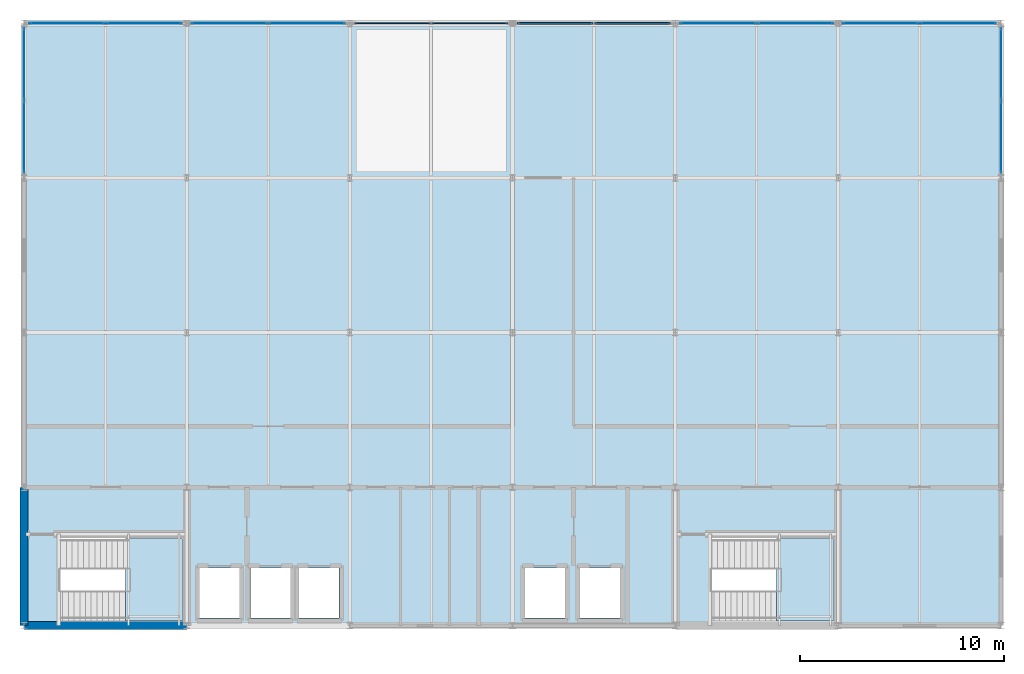
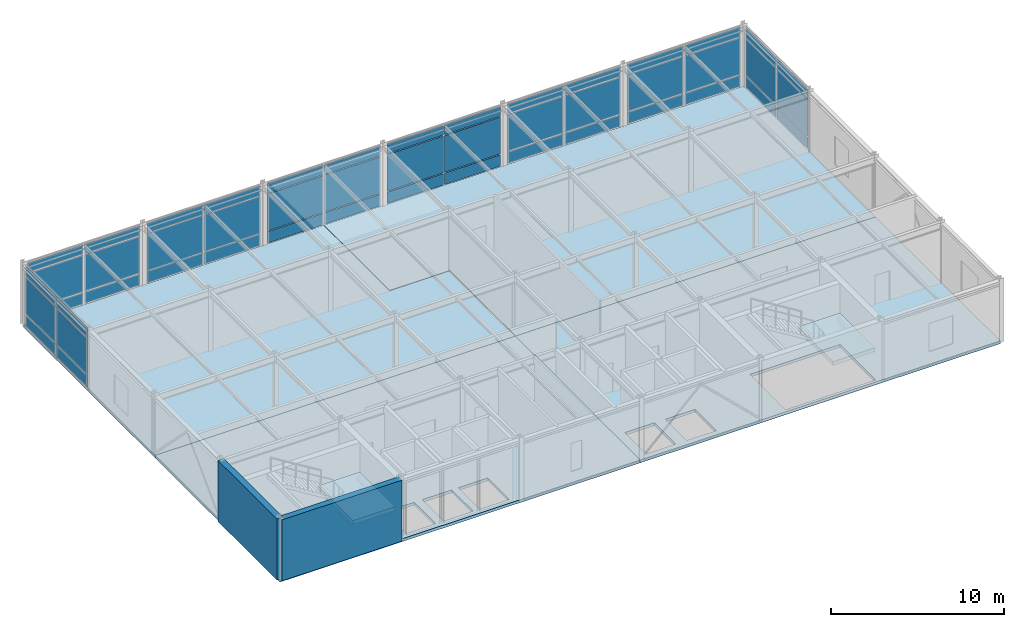
# One storey, part 8 of 12: 48 plates, 6 slabs, 2 walls, 10 elements without a shape of their own.
"""IFC4 building model written with IfcOpenShell, lengths in metres."""

import ifcopenshell
import ifcopenshell.guid

model = None  # the IFC model being written
_history = None  # IfcOwnerHistory: only IFC2X3 demands one
_inside = {}  # id of a spatial element -> (the spatial element, [elements in it])
_under = {}  # id of a project, library or spatial element -> (it, [spatial elements below it])
_declared = {}  # id of a project -> (the project, [libraries it declares])
_typed = {}  # id of a type object -> (the type object, [elements of that type])
_made_of = {}  # id of a material, layer set ... -> (it, [elements and type objects made of it])


def new_model(schema):
    """Start an empty IFC model of exactly this schema.

    Asked for "IFC4X3", IfcOpenShell would pick the latest addendum, in which some entities
    have other attributes; the version numbers below select the first issue.
    IFC2X3 requires an IfcOwnerHistory on every rooted entity: one is made here for all.
    """
    global model, _history
    if schema == "IFC4X3":
        model = ifcopenshell.file(schema_version=(4, 3, 0, 0))
    else:
        model = ifcopenshell.file(schema=schema)
    _inside.clear()
    _under.clear()
    _declared.clear()
    _typed.clear()
    _made_of.clear()
    _history = None
    if model.schema == "IFC2X3":
        org = make("IfcOrganization", Name="unknown")
        user = make(
            "IfcPersonAndOrganization",
            ThePerson=make("IfcPerson", FamilyName="unknown"),
            TheOrganization=org,
        )
        app = make(
            "IfcApplication",
            ApplicationDeveloper=org,
            Version="unknown",
            ApplicationFullName="unknown",
            ApplicationIdentifier="unknown",
        )
        _history = make(
            "IfcOwnerHistory",
            OwningUser=user,
            OwningApplication=app,
            ChangeAction="ADDED",
            CreationDate=0,
        )
    return model


def make(cls, **values):
    """One entity of the class cls with the attributes given. An attribute that is None is left unset."""
    return model.create_entity(
        cls, **{name: value for name, value in values.items() if value is not None}
    )


def rooted(cls, **values):
    """An entity with a GlobalId (a new one), such as an element, a storey or a relation."""
    return make(cls, GlobalId=ifcopenshell.guid.new(), OwnerHistory=_history, **values)


def si_unit(unit_type, name, prefix=None):
    """IfcSIUnit, for example si_unit("LENGTHUNIT", "METRE", prefix="MILLI")."""
    return make("IfcSIUnit", UnitType=unit_type, Prefix=prefix, Name=name)


def assignment(units):
    """IfcUnitAssignment: the units of a project."""
    return None if units is None else make("IfcUnitAssignment", Units=units)


def point(xyz):
    """IfcCartesianPoint."""
    return None if xyz is None else make("IfcCartesianPoint", Coordinates=xyz)


def direction(xyz):
    """IfcDirection."""
    return None if xyz is None else make("IfcDirection", DirectionRatios=xyz)


def frame(location, z_axis=None, x_axis=None):
    """IfcAxis2Placement3D, a coordinate frame: its origin and axes. An axis left out is left unset."""
    return make(
        "IfcAxis2Placement3D",
        Location=point(location),
        Axis=direction(z_axis),
        RefDirection=direction(x_axis),
    )


def frame_2d(location, x_axis=None):
    """IfcAxis2Placement2D, a coordinate frame in the plane: its origin and x axis."""
    return make(
        "IfcAxis2Placement2D", Location=point(location), RefDirection=direction(x_axis)
    )


def origin():
    """The frame at (0, 0, 0) with its axes left unset."""
    return frame((0.0, 0.0, 0.0))


def origin_2d():
    """The frame at (0, 0) in the plane with its x axis left unset."""
    return frame_2d((0.0, 0.0))


def place(relative_to, where):
    """IfcLocalPlacement: puts the frame where relative to a parent placement (None: the world)."""
    return make(
        "IfcLocalPlacement", PlacementRelTo=relative_to, RelativePlacement=where
    )


def context(
    kind, dimensions, precision=None, world=None, true_north=None, identifier=None
):
    """IfcGeometricRepresentationContext, for example the 3D "Model" context."""
    return make(
        "IfcGeometricRepresentationContext",
        ContextIdentifier=identifier,
        ContextType=kind,
        CoordinateSpaceDimension=dimensions,
        Precision=precision,
        WorldCoordinateSystem=world,
        TrueNorth=true_north,
    )


def subcontext(parent, identifier, kind, view, scale=None):
    """IfcGeometricRepresentationSubContext, for example "Body" below "Model"."""
    return make(
        "IfcGeometricRepresentationSubContext",
        ContextIdentifier=identifier,
        ContextType=kind,
        ParentContext=parent,
        TargetScale=scale,
        TargetView=view,
    )


def project(units=None, contexts=None):
    """IfcProject with its units and contexts."""
    return rooted(
        "IfcProject",
        Name="project",
        RepresentationContexts=contexts,
        UnitsInContext=assignment(units),
    )


def spatial(cls, under=None, at=None, **own):
    """A site, building, storey or space (cls), placed at a placement, below another one or the project."""
    s = rooted(cls, ObjectPlacement=at, **own)
    if under is not None:
        _under.setdefault(under.id(), (under, []))[1].append(s)
    return s


def polyline(points):
    """IfcPolyline through the points."""
    return make("IfcPolyline", Points=[point(p) for p in points])


def profile(cls, at=None, kind="AREA", **sizes):
    """A parametric profile (cls). Its sizes go by their IFC names, for example OverallWidth=200.0."""
    return make(cls, ProfileType=kind, Position=at, **sizes)


def rectangle(**sizes):
    """IfcRectangleProfileDef."""
    return profile("IfcRectangleProfileDef", **sizes)


def outline(outer, holes=None, kind="AREA"):
    """IfcArbitraryClosedProfileDef: a profile drawn as a closed curve; with holes, ...WithVoids."""
    if holes is None:
        return make("IfcArbitraryClosedProfileDef", ProfileType=kind, OuterCurve=outer)
    return make(
        "IfcArbitraryProfileDefWithVoids",
        ProfileType=kind,
        OuterCurve=outer,
        InnerCurves=holes,
    )


def extrude(swept, where, along, depth):
    """IfcExtrudedAreaSolid: the profile swept, set in the frame where, extruded along a direction by depth."""
    return make(
        "IfcExtrudedAreaSolid",
        SweptArea=swept,
        Position=where,
        ExtrudedDirection=direction(along),
        Depth=depth,
    )


def shape(context_of_items, identifier, shape_type, items):
    """IfcShapeRepresentation: the items that make up one representation, for example the "Body"."""
    return make(
        "IfcShapeRepresentation",
        ContextOfItems=context_of_items,
        RepresentationIdentifier=identifier,
        RepresentationType=shape_type,
        Items=items,
    )


def material(Name=None, Category=None):
    """IfcMaterial."""
    return make("IfcMaterial", Name=Name, Category=Category)


def layer(
    of_material, thickness, ventilated=None, Name=None, Category=None, Priority=None
):
    """IfcMaterialLayer: one layer of a wall or slab, of a material (None: an air gap)."""
    return make(
        "IfcMaterialLayer",
        Material=of_material,
        LayerThickness=thickness,
        IsVentilated=ventilated,
        Name=Name,
        Category=Category,
        Priority=Priority,
    )


def layer_set(layers, Name=None):
    """IfcMaterialLayerSet."""
    return make("IfcMaterialLayerSet", MaterialLayers=layers, LayerSetName=Name)


def made_of(thing, what):
    """Note that an element or type object is made of a material, layer set ...; save() writes the relation."""
    if what is not None:
        _made_of.setdefault(what.id(), (what, []))[1].append(thing)
    return thing


def type_object(cls, material=None, **own):
    """A type object (cls), such as IfcWallType, which elements share."""
    return made_of(rooted(cls, **own), material)


def element(
    cls,
    number,
    at=None,
    inside=None,
    cuts=None,
    type_object=None,
    material=None,
    context=None,
    identifier="Body",
    shape_type=None,
    held_by="IfcProductDefinitionShape",
    body=None,
    shapes=None,
    **own,
):
    """One element of the class cls, such as IfcWall. Its Tag is "e" and its number.

    at: its placement. inside: the storey or other place that contains it. cuts: it is an
    opening in that element (IfcRelVoidsElement). A single representation is given by context,
    identifier, shape_type and body (its items); several are given by shapes. held_by: the class
    of the entity that holds the representations. save() writes the other relations.
    """
    e = rooted(cls, Tag="e%d" % number, ObjectPlacement=at, **own)
    if body is not None:
        shapes = [shape(context, identifier, shape_type, body)]
    if shapes is not None:
        e.Representation = make(held_by, Representations=shapes)
    if inside is not None:
        _inside.setdefault(inside.id(), (inside, []))[1].append(e)
    if cuts is not None:
        rooted(
            "IfcRelVoidsElement", RelatingBuildingElement=cuts, RelatedOpeningElement=e
        )
    if type_object is not None:
        _typed.setdefault(type_object.id(), (type_object, []))[1].append(e)
    return made_of(e, material)


def aggregate(whole, parts):
    """IfcRelAggregates: a whole, such as a stair, and the parts it consists of."""
    return rooted("IfcRelAggregates", RelatingObject=whole, RelatedObjects=parts)


def save(model, path):
    """Write the relations noted so far, then the file.

    IfcRelAggregates (storeys below a building ...), IfcRelContainedInSpatialStructure (elements
    in a storey), IfcRelDefinesByType, IfcRelAssociatesMaterial and IfcRelDeclares: one each for
    every whole, place, type object, material and project.
    """
    for whole, parts in _under.values():
        aggregate(whole, parts)
    for where, things in _inside.values():
        rooted(
            "IfcRelContainedInSpatialStructure",
            RelatedElements=things,
            RelatingStructure=where,
        )
    for kind, things in _typed.values():
        rooted("IfcRelDefinesByType", RelatedObjects=things, RelatingType=kind)
    for what, things in _made_of.values():
        rooted("IfcRelAssociatesMaterial", RelatedObjects=things, RelatingMaterial=what)
    for by, libraries in _declared.values():
        rooted("IfcRelDeclares", RelatingContext=by, RelatedDefinitions=libraries)
    model.write(path)


model = new_model("IFC4")

# Units and contexts
model_context = context("Model", 3, precision=1e-05, world=origin(), true_north=direction((0.0, 1.0)))
body_context = subcontext(model_context, "Body", "Model", "MODEL_VIEW")
ifc_project = project(units=[si_unit("LENGTHUNIT", "METRE"), si_unit("AREAUNIT", "SQUARE_METRE"), si_unit("VOLUMEUNIT", "CUBIC_METRE"), si_unit("PLANEANGLEUNIT", "RADIAN"), si_unit("MASSUNIT", "GRAM", prefix="KILO")], contexts=[model_context])

# Site, building, storey
site_placement = place(None, origin())
site = spatial("IfcSite", under=ifc_project, at=site_placement, CompositionType="ELEMENT")
building_placement = place(site_placement, origin())
building = spatial("IfcBuilding", under=site, at=building_placement, Name="Shalkamar Park Central Library", CompositionType="ELEMENT")
storey_placement = place(building_placement, frame((0.0, 0.0, 67.800048828125)))
storey = spatial("IfcBuildingStorey", under=building, at=storey_placement, Name="L17", CompositionType="ELEMENT", Elevation=67.800048828125)

# Curtain wall, plates
ifc_material_1 = material(Name="Thermally broken aluminium and triple low-e curtain wall", Category="aluminium")
ifc_layer_1 = layer(ifc_material_1, 0.280029296875)
ifc_layer_set_1 = layer_set([ifc_layer_1], Name="UnitisedCurtainWall_104")
curtain_wall_type_1 = type_object("IfcCurtainWallType", Name="Unitised Curtain Wall 104", PredefinedType="USERDEFINED", material=ifc_layer_set_1)
curtain_wall_1_placement = place(storey_placement, origin())
curtain_wall_1 = element("IfcCurtainWall", 1, at=curtain_wall_1_placement, inside=storey, type_object=curtain_wall_type_1, Name="Unitised Curtain Wall CW-L17-160", ObjectType="UNITISED CURTAIN WALL", PredefinedType="USERDEFINED")
ifc_material_2 = material(Name="Triple-glazed solar-control glass", Category="glass")
ifc_layer_2 = layer(ifc_material_2, 0.031982421875)
ifc_layer_set_2 = layer_set([ifc_layer_2], Name="SolarControlVisionPanel_32")
plate_type_1 = type_object("IfcPlateType", Name="Solar Control Vision Panel 32", PredefinedType="CURTAIN_PANEL", material=ifc_layer_set_2)
plate_1_placement = place(storey_placement, frame((167.10693359375, 278.0, 0.070068359375), z_axis=(0.0, 0.0, 1.0), x_axis=(1.0, 0.0, 0.0)))
plate_1 = element("IfcPlate", 2, at=plate_1_placement, type_object=plate_type_1, Name="CW-104 panel 1.1", PredefinedType="CURTAIN_PANEL", context=body_context, shape_type="SweptSolid", body=[
    extrude(rectangle(XDim=3.7060546875, YDim=0.031982421875, at=origin_2d()), origin(), (0.0, 0.0, 1.0), 0.794921875),
])
plate_2_placement = place(storey_placement, frame((167.10693359375, 278.0, 0.934814453125), z_axis=(0.0, 0.0, 1.0), x_axis=(1.0, 0.0, 0.0)))
plate_2 = element("IfcPlate", 3, at=plate_2_placement, type_object=plate_type_1, Name="CW-104 panel 1.2", PredefinedType="CURTAIN_PANEL", context=body_context, shape_type="SweptSolid", body=[
    extrude(rectangle(XDim=3.7060546875, YDim=0.031982421875, at=origin_2d()), origin(), (0.0, 0.0, 1.0), 2.580078125),
])
plate_3_placement = place(storey_placement, frame((167.10693359375, 278.0, 3.5849609375), z_axis=(0.0, 0.0, 1.0), x_axis=(1.0, 0.0, 0.0)))
plate_3 = element("IfcPlate", 4, at=plate_3_placement, type_object=plate_type_1, Name="CW-104 panel 1.3", PredefinedType="CURTAIN_PANEL", context=body_context, shape_type="SweptSolid", body=[
    extrude(rectangle(XDim=3.7060546875, YDim=0.031982421875, at=origin_2d()), origin(), (0.0, 0.0, 1.0), 0.64501953125),
])
plate_4_placement = place(storey_placement, frame((170.903076171875, 278.0, 0.070068359375), z_axis=(0.0, 0.0, 1.0), x_axis=(1.0, 0.0, 0.0)))
plate_4 = element("IfcPlate", 5, at=plate_4_placement, type_object=plate_type_1, Name="CW-104 panel 2.1", PredefinedType="CURTAIN_PANEL", context=body_context, shape_type="SweptSolid", body=[
    extrude(rectangle(XDim=3.7060546875, YDim=0.031982421875, at=origin_2d()), origin(), (0.0, 0.0, 1.0), 0.794921875),
])
plate_5_placement = place(storey_placement, frame((170.903076171875, 278.0, 0.934814453125), z_axis=(0.0, 0.0, 1.0), x_axis=(1.0, 0.0, 0.0)))
plate_5 = element("IfcPlate", 6, at=plate_5_placement, type_object=plate_type_1, Name="CW-104 panel 2.2", PredefinedType="CURTAIN_PANEL", context=body_context, shape_type="SweptSolid", body=[
    extrude(rectangle(XDim=3.7060546875, YDim=0.031982421875, at=origin_2d()), origin(), (0.0, 0.0, 1.0), 2.580078125),
])
plate_6_placement = place(storey_placement, frame((170.903076171875, 278.0, 3.5849609375), z_axis=(0.0, 0.0, 1.0), x_axis=(1.0, 0.0, 0.0)))
plate_6 = element("IfcPlate", 7, at=plate_6_placement, type_object=plate_type_1, Name="CW-104 panel 2.3", PredefinedType="CURTAIN_PANEL", context=body_context, shape_type="SweptSolid", body=[
    extrude(rectangle(XDim=3.7060546875, YDim=0.031982421875, at=origin_2d()), origin(), (0.0, 0.0, 1.0), 0.64501953125),
])
aggregate(curtain_wall_1, [plate_1, plate_2, plate_3, plate_4, plate_5, plate_6])

ifc_layer_3 = layer(ifc_material_1, 0.27001953125)
ifc_layer_set_3 = layer_set([ifc_layer_3], Name="UnitisedCurtainWall_108")
curtain_wall_type_2 = type_object("IfcCurtainWallType", Name="Unitised Curtain Wall 108", PredefinedType="USERDEFINED", material=ifc_layer_set_3)
curtain_wall_2_placement = place(storey_placement, origin())
curtain_wall_2 = element("IfcCurtainWall", 8, at=curtain_wall_2_placement, inside=storey, type_object=curtain_wall_type_2, Name="Unitised Curtain Wall CW-L17-164", ObjectType="UNITISED CURTAIN WALL", PredefinedType="USERDEFINED")
plate_7_placement = place(storey_placement, frame((199.1044921875, 278.0, 0.06494140625), z_axis=(0.0, 0.0, 1.0), x_axis=(1.0, 0.0, 0.0)))
plate_7 = element("IfcPlate", 9, at=plate_7_placement, type_object=plate_type_1, Name="CW-108 panel 1.1", PredefinedType="CURTAIN_PANEL", context=body_context, shape_type="SweptSolid", body=[
    extrude(rectangle(XDim=3.720947265625, YDim=0.031982421875, at=origin_2d()), origin(), (0.0, 0.0, 1.0), 0.802490234375),
])
plate_8_placement = place(storey_placement, frame((199.1044921875, 278.0, 0.932373046875), z_axis=(0.0, 0.0, 1.0), x_axis=(1.0, 0.0, 0.0)))
plate_8 = element("IfcPlate", 10, at=plate_8_placement, type_object=plate_type_1, Name="CW-108 panel 1.2", PredefinedType="CURTAIN_PANEL", context=body_context, shape_type="SweptSolid", body=[
    extrude(rectangle(XDim=3.720947265625, YDim=0.031982421875, at=origin_2d()), origin(), (0.0, 0.0, 1.0), 2.5849609375),
])
plate_9_placement = place(storey_placement, frame((199.1044921875, 278.0, 3.58251953125), z_axis=(0.0, 0.0, 1.0), x_axis=(1.0, 0.0, 0.0)))
plate_9 = element("IfcPlate", 11, at=plate_9_placement, type_object=plate_type_1, Name="CW-108 panel 1.3", PredefinedType="CURTAIN_PANEL", context=body_context, shape_type="SweptSolid", body=[
    extrude(rectangle(XDim=3.720947265625, YDim=0.031982421875, at=origin_2d()), origin(), (0.0, 0.0, 1.0), 0.652587890625),
])
plate_10_placement = place(storey_placement, frame((202.905517578125, 278.0, 0.06494140625), z_axis=(0.0, 0.0, 1.0), x_axis=(1.0, 0.0, 0.0)))
plate_10 = element("IfcPlate", 12, at=plate_10_placement, type_object=plate_type_1, Name="CW-108 panel 2.1", PredefinedType="CURTAIN_PANEL", context=body_context, shape_type="SweptSolid", body=[
    extrude(rectangle(XDim=3.720947265625, YDim=0.031982421875, at=origin_2d()), origin(), (0.0, 0.0, 1.0), 0.802490234375),
])
plate_11_placement = place(storey_placement, frame((202.905517578125, 278.0, 0.932373046875), z_axis=(0.0, 0.0, 1.0), x_axis=(1.0, 0.0, 0.0)))
plate_11 = element("IfcPlate", 13, at=plate_11_placement, type_object=plate_type_1, Name="CW-108 panel 2.2", PredefinedType="CURTAIN_PANEL", context=body_context, shape_type="SweptSolid", body=[
    extrude(rectangle(XDim=3.720947265625, YDim=0.031982421875, at=origin_2d()), origin(), (0.0, 0.0, 1.0), 2.5849609375),
])
plate_12_placement = place(storey_placement, frame((202.905517578125, 278.0, 3.58251953125), z_axis=(0.0, 0.0, 1.0), x_axis=(1.0, 0.0, 0.0)))
plate_12 = element("IfcPlate", 14, at=plate_12_placement, type_object=plate_type_1, Name="CW-108 panel 2.3", PredefinedType="CURTAIN_PANEL", context=body_context, shape_type="SweptSolid", body=[
    extrude(rectangle(XDim=3.720947265625, YDim=0.031982421875, at=origin_2d()), origin(), (0.0, 0.0, 1.0), 0.652587890625),
])
aggregate(curtain_wall_2, [plate_7, plate_8, plate_9, plate_10, plate_11, plate_12])

ifc_layer_4 = layer(ifc_material_1, 0.280029296875)
ifc_layer_set_4 = layer_set([ifc_layer_4], Name="UnitisedCurtainWall_110")
curtain_wall_type_3 = type_object("IfcCurtainWallType", Name="Unitised Curtain Wall 110", PredefinedType="USERDEFINED", material=ifc_layer_set_4)
curtain_wall_3_placement = place(storey_placement, origin())
curtain_wall_3 = element("IfcCurtainWall", 15, at=curtain_wall_3_placement, inside=storey, type_object=curtain_wall_type_3, Name="Unitised Curtain Wall CW-L17-166", ObjectType="UNITISED CURTAIN WALL", PredefinedType="USERDEFINED")
plate_13_placement = place(storey_placement, frame((165.0, 272.404541015625, 0.070068359375), z_axis=(0.0, 0.0, 1.0), x_axis=(0.0, 1.0, 0.0)))
plate_13 = element("IfcPlate", 16, at=plate_13_placement, type_object=plate_type_1, Name="CW-110 panel 1.1", PredefinedType="CURTAIN_PANEL", context=body_context, shape_type="SweptSolid", body=[
    extrude(rectangle(XDim=3.5009765625, YDim=0.031982421875, at=origin_2d()), origin(), (0.0, 0.0, 1.0), 0.794921875),
])
plate_14_placement = place(storey_placement, frame((165.0, 272.404541015625, 0.934814453125), z_axis=(0.0, 0.0, 1.0), x_axis=(0.0, 1.0, 0.0)))
plate_14 = element("IfcPlate", 17, at=plate_14_placement, type_object=plate_type_1, Name="CW-110 panel 1.2", PredefinedType="CURTAIN_PANEL", context=body_context, shape_type="SweptSolid", body=[
    extrude(rectangle(XDim=3.5009765625, YDim=0.031982421875, at=origin_2d()), origin(), (0.0, 0.0, 1.0), 2.580078125),
])
plate_15_placement = place(storey_placement, frame((165.0, 272.404541015625, 3.5849609375), z_axis=(0.0, 0.0, 1.0), x_axis=(0.0, 1.0, 0.0)))
plate_15 = element("IfcPlate", 18, at=plate_15_placement, type_object=plate_type_1, Name="CW-110 panel 1.3", PredefinedType="CURTAIN_PANEL", context=body_context, shape_type="SweptSolid", body=[
    extrude(rectangle(XDim=3.5009765625, YDim=0.031982421875, at=origin_2d()), origin(), (0.0, 0.0, 1.0), 0.64501953125),
])
plate_16_placement = place(storey_placement, frame((165.0, 275.99560546875, 0.070068359375), z_axis=(0.0, 0.0, 1.0), x_axis=(0.0, 1.0, 0.0)))
plate_16 = element("IfcPlate", 19, at=plate_16_placement, type_object=plate_type_1, Name="CW-110 panel 2.1", PredefinedType="CURTAIN_PANEL", context=body_context, shape_type="SweptSolid", body=[
    extrude(rectangle(XDim=3.5009765625, YDim=0.031982421875, at=origin_2d()), origin(), (0.0, 0.0, 1.0), 0.794921875),
])
plate_17_placement = place(storey_placement, frame((165.0, 275.99560546875, 0.934814453125), z_axis=(0.0, 0.0, 1.0), x_axis=(0.0, 1.0, 0.0)))
plate_17 = element("IfcPlate", 20, at=plate_17_placement, type_object=plate_type_1, Name="CW-110 panel 2.2", PredefinedType="CURTAIN_PANEL", context=body_context, shape_type="SweptSolid", body=[
    extrude(rectangle(XDim=3.5009765625, YDim=0.031982421875, at=origin_2d()), origin(), (0.0, 0.0, 1.0), 2.580078125),
])
plate_18_placement = place(storey_placement, frame((165.0, 275.99560546875, 3.5849609375), z_axis=(0.0, 0.0, 1.0), x_axis=(0.0, 1.0, 0.0)))
plate_18 = element("IfcPlate", 21, at=plate_18_placement, type_object=plate_type_1, Name="CW-110 panel 2.3", PredefinedType="CURTAIN_PANEL", context=body_context, shape_type="SweptSolid", body=[
    extrude(rectangle(XDim=3.5009765625, YDim=0.031982421875, at=origin_2d()), origin(), (0.0, 0.0, 1.0), 0.64501953125),
])
aggregate(curtain_wall_3, [plate_13, plate_14, plate_15, plate_16, plate_17, plate_18])

curtain_wall_4_placement = place(storey_placement, origin())
curtain_wall_4 = element("IfcCurtainWall", 22, at=curtain_wall_4_placement, inside=storey, type_object=curtain_wall_type_3, Name="Unitised Curtain Wall CW-L17-167", ObjectType="UNITISED CURTAIN WALL", PredefinedType="USERDEFINED")
plate_19_placement = place(storey_placement, frame((213.0, 272.404541015625, 0.070068359375), z_axis=(0.0, 0.0, 1.0), x_axis=(0.0, 1.0, 0.0)))
plate_19 = element("IfcPlate", 23, at=plate_19_placement, type_object=plate_type_1, Name="CW-110 panel 1.1", PredefinedType="CURTAIN_PANEL", context=body_context, shape_type="SweptSolid", body=[
    extrude(rectangle(XDim=3.5009765625, YDim=0.031982421875, at=origin_2d()), origin(), (0.0, 0.0, 1.0), 0.794921875),
])
plate_20_placement = place(storey_placement, frame((213.0, 272.404541015625, 0.934814453125), z_axis=(0.0, 0.0, 1.0), x_axis=(0.0, 1.0, 0.0)))
plate_20 = element("IfcPlate", 24, at=plate_20_placement, type_object=plate_type_1, Name="CW-110 panel 1.2", PredefinedType="CURTAIN_PANEL", context=body_context, shape_type="SweptSolid", body=[
    extrude(rectangle(XDim=3.5009765625, YDim=0.031982421875, at=origin_2d()), origin(), (0.0, 0.0, 1.0), 2.580078125),
])
plate_21_placement = place(storey_placement, frame((213.0, 272.404541015625, 3.5849609375), z_axis=(0.0, 0.0, 1.0), x_axis=(0.0, 1.0, 0.0)))
plate_21 = element("IfcPlate", 25, at=plate_21_placement, type_object=plate_type_1, Name="CW-110 panel 1.3", PredefinedType="CURTAIN_PANEL", context=body_context, shape_type="SweptSolid", body=[
    extrude(rectangle(XDim=3.5009765625, YDim=0.031982421875, at=origin_2d()), origin(), (0.0, 0.0, 1.0), 0.64501953125),
])
plate_22_placement = place(storey_placement, frame((213.0, 275.99560546875, 0.070068359375), z_axis=(0.0, 0.0, 1.0), x_axis=(0.0, 1.0, 0.0)))
plate_22 = element("IfcPlate", 26, at=plate_22_placement, type_object=plate_type_1, Name="CW-110 panel 2.1", PredefinedType="CURTAIN_PANEL", context=body_context, shape_type="SweptSolid", body=[
    extrude(rectangle(XDim=3.5009765625, YDim=0.031982421875, at=origin_2d()), origin(), (0.0, 0.0, 1.0), 0.794921875),
])
plate_23_placement = place(storey_placement, frame((213.0, 275.99560546875, 0.934814453125), z_axis=(0.0, 0.0, 1.0), x_axis=(0.0, 1.0, 0.0)))
plate_23 = element("IfcPlate", 27, at=plate_23_placement, type_object=plate_type_1, Name="CW-110 panel 2.2", PredefinedType="CURTAIN_PANEL", context=body_context, shape_type="SweptSolid", body=[
    extrude(rectangle(XDim=3.5009765625, YDim=0.031982421875, at=origin_2d()), origin(), (0.0, 0.0, 1.0), 2.580078125),
])
plate_24_placement = place(storey_placement, frame((213.0, 275.99560546875, 3.5849609375), z_axis=(0.0, 0.0, 1.0), x_axis=(0.0, 1.0, 0.0)))
plate_24 = element("IfcPlate", 28, at=plate_24_placement, type_object=plate_type_1, Name="CW-110 panel 2.3", PredefinedType="CURTAIN_PANEL", context=body_context, shape_type="SweptSolid", body=[
    extrude(rectangle(XDim=3.5009765625, YDim=0.031982421875, at=origin_2d()), origin(), (0.0, 0.0, 1.0), 0.64501953125),
])
aggregate(curtain_wall_4, [plate_19, plate_20, plate_21, plate_22, plate_23, plate_24])

ifc_layer_5 = layer(ifc_material_1, 0.2548828125)
ifc_layer_set_5 = layer_set([ifc_layer_5], Name="UnitisedCurtainWall_107")
curtain_wall_type_4 = type_object("IfcCurtainWallType", Name="Unitised Curtain Wall 107", PredefinedType="USERDEFINED", material=ifc_layer_set_5)
curtain_wall_5_placement = place(storey_placement, origin())
curtain_wall_5 = element("IfcCurtainWall", 29, at=curtain_wall_5_placement, inside=storey, type_object=curtain_wall_type_4, Name="Unitised Curtain Wall CW-L17-163", ObjectType="UNITISED CURTAIN WALL", PredefinedType="USERDEFINED")
ifc_material_3 = material(Name="Insulated aluminium spandrel panel", Category="aluminium")
ifc_layer_6 = layer(ifc_material_3, 0.080078125)
ifc_layer_set_6 = layer_set([ifc_layer_6], Name="SpandrelShadowboxPanel_80")
plate_type_2 = type_object("IfcPlateType", Name="Spandrel Shadowbox Panel 80", PredefinedType="CURTAIN_PANEL", material=ifc_layer_set_6)
plate_25_placement = place(storey_placement, frame((191.094482421875, 278.0, 0.06494140625), z_axis=(0.0, 0.0, 1.0), x_axis=(1.0, 0.0, 0.0)))
plate_25 = element("IfcPlate", 30, at=plate_25_placement, type_object=plate_type_2, Name="CW-107 panel 1.1", PredefinedType="CURTAIN_PANEL", context=body_context, shape_type="SweptSolid", body=[
    extrude(rectangle(XDim=3.720947265625, YDim=0.080078125, at=origin_2d()), origin(), (0.0, 0.0, 1.0), 0.802490234375),
])
plate_26_placement = place(storey_placement, frame((191.094482421875, 278.0, 0.932373046875), z_axis=(0.0, 0.0, 1.0), x_axis=(1.0, 0.0, 0.0)))
plate_26 = element("IfcPlate", 31, at=plate_26_placement, type_object=plate_type_2, Name="CW-107 panel 1.2", PredefinedType="CURTAIN_PANEL", context=body_context, shape_type="SweptSolid", body=[
    extrude(rectangle(XDim=3.720947265625, YDim=0.080078125, at=origin_2d()), origin(), (0.0, 0.0, 1.0), 2.5849609375),
])
plate_27_placement = place(storey_placement, frame((191.094482421875, 278.0, 3.58251953125), z_axis=(0.0, 0.0, 1.0), x_axis=(1.0, 0.0, 0.0)))
plate_27 = element("IfcPlate", 32, at=plate_27_placement, type_object=plate_type_2, Name="CW-107 panel 1.3", PredefinedType="CURTAIN_PANEL", context=body_context, shape_type="SweptSolid", body=[
    extrude(rectangle(XDim=3.720947265625, YDim=0.080078125, at=origin_2d()), origin(), (0.0, 0.0, 1.0), 0.652587890625),
])
plate_28_placement = place(storey_placement, frame((194.8955078125, 278.0, 0.06494140625), z_axis=(0.0, 0.0, 1.0), x_axis=(1.0, 0.0, 0.0)))
plate_28 = element("IfcPlate", 33, at=plate_28_placement, type_object=plate_type_2, Name="CW-107 panel 2.1", PredefinedType="CURTAIN_PANEL", context=body_context, shape_type="SweptSolid", body=[
    extrude(rectangle(XDim=3.720947265625, YDim=0.080078125, at=origin_2d()), origin(), (0.0, 0.0, 1.0), 0.802490234375),
])
plate_29_placement = place(storey_placement, frame((194.8955078125, 278.0, 0.932373046875), z_axis=(0.0, 0.0, 1.0), x_axis=(1.0, 0.0, 0.0)))
plate_29 = element("IfcPlate", 34, at=plate_29_placement, type_object=plate_type_2, Name="CW-107 panel 2.2", PredefinedType="CURTAIN_PANEL", context=body_context, shape_type="SweptSolid", body=[
    extrude(rectangle(XDim=3.720947265625, YDim=0.080078125, at=origin_2d()), origin(), (0.0, 0.0, 1.0), 2.5849609375),
])
plate_30_placement = place(storey_placement, frame((194.8955078125, 278.0, 3.58251953125), z_axis=(0.0, 0.0, 1.0), x_axis=(1.0, 0.0, 0.0)))
plate_30 = element("IfcPlate", 35, at=plate_30_placement, type_object=plate_type_2, Name="CW-107 panel 2.3", PredefinedType="CURTAIN_PANEL", context=body_context, shape_type="SweptSolid", body=[
    extrude(rectangle(XDim=3.720947265625, YDim=0.080078125, at=origin_2d()), origin(), (0.0, 0.0, 1.0), 0.652587890625),
])
aggregate(curtain_wall_5, [plate_25, plate_26, plate_27, plate_28, plate_29, plate_30])

# Stair, slab
ifc_material_4 = material(Name="Concrete C35/45", Category="concrete")
stair_type = type_object("IfcStairType", Name="Protected Dog Leg Stair 150x450", PredefinedType="TWO_STRAIGHT_RUN_STAIR", material=ifc_material_4)
stair_1_placement = place(storey_placement, origin())
stair_1 = element("IfcStair", 36, at=stair_1_placement, inside=storey, type_object=stair_type, Name="Protected Core Stair ST-T1-L17", PredefinedType="TWO_STRAIGHT_RUN_STAIR")
ifc_layer_7 = layer(ifc_material_4, 0.280029296875)
ifc_layer_set_7 = layer_set([ifc_layer_7], Name="Concrete C35/45")
slab_type_1 = type_object("IfcSlabType", Name="Stair Landing Slab 160", PredefinedType="LANDING", material=ifc_layer_set_7)
slab_1_placement = place(storey_placement, frame((0.0, 0.0, 1.969970703125)))
slab_1 = element("IfcSlab", 37, at=slab_1_placement, type_object=slab_type_1, Name="ST-T1-L17 landing 1", PredefinedType="LANDING", context=body_context, shape_type="SweptSolid", body=[
    extrude(outline(polyline([(169.97998046875, 248.6201171875), (172.780029296875, 248.6201171875), (172.780029296875, 252.679931640625), (169.97998046875, 252.679931640625), (169.97998046875, 248.6201171875)])), origin(), (0.0, 0.0, 1.0), 0.280029296875),
])
aggregate(stair_1, [slab_1])

stair_2_placement = place(storey_placement, origin())
stair_2 = element("IfcStair", 38, at=stair_2_placement, inside=storey, type_object=stair_type, Name="Protected Core Stair ST-T2-L17", PredefinedType="TWO_STRAIGHT_RUN_STAIR")
slab_2_placement = place(storey_placement, frame((0.0, 0.0, 1.969970703125)))
slab_2 = element("IfcSlab", 39, at=slab_2_placement, type_object=slab_type_1, Name="ST-T2-L17 landing 1", PredefinedType="LANDING", context=body_context, shape_type="SweptSolid", body=[
    extrude(outline(polyline([(201.97998046875, 248.6201171875), (204.780029296875, 248.6201171875), (204.780029296875, 252.679931640625), (201.97998046875, 252.679931640625), (201.97998046875, 248.6201171875)])), origin(), (0.0, 0.0, 1.0), 0.280029296875),
])
aggregate(stair_2, [slab_2])

# Slabs
ifc_layer_8 = layer(ifc_material_4, 0.199951171875)
ifc_layer_set_8 = layer_set([ifc_layer_8], Name="Concrete C35/45")
slab_type_2 = type_object("IfcSlabType", Name="Suspended Floor Slab 200", PredefinedType="FLOOR", material=ifc_layer_set_8)
slab_3_placement = place(storey_placement, frame((0.0, 0.0, -0.199951171875)))
element("IfcSlab", 40, at=slab_3_placement, inside=storey, type_object=slab_type_2, Name="Level L17 Composite Floor Slab NW", PredefinedType="FLOOR", context=body_context, shape_type="SweptSolid", body=[
    extrude(outline(polyline([(165.0, 262.800048828125), (188.989990234375, 262.800048828125), (188.989990234375, 270.389892578125), (184.989990234375, 270.389892578125), (184.989990234375, 278.0), (165.0, 278.0), (165.0, 262.800048828125)])), origin(), (0.0, 0.0, 1.0), 0.199951171875),
])
slab_4_placement = place(storey_placement, frame((0.0, 0.0, -0.199951171875)))
element("IfcSlab", 41, at=slab_4_placement, inside=storey, type_object=slab_type_2, Name="Level L17 Composite Floor Slab NE", PredefinedType="FLOOR", context=body_context, shape_type="SweptSolid", body=[
    extrude(outline(polyline([(189.010009765625, 262.800048828125), (213.0, 262.800048828125), (213.0, 278.0), (185.010009765625, 278.0), (185.010009765625, 270.409912109375), (189.010009765625, 270.409912109375), (189.010009765625, 262.800048828125)])), origin(), (0.0, 0.0, 1.0), 0.199951171875),
])
slab_5_placement = place(storey_placement, frame((0.0, 0.0, -0.199951171875)))
element("IfcSlab", 42, at=slab_5_placement, inside=storey, type_object=slab_type_2, Name="Level L17 Composite Floor Slab SW", PredefinedType="FLOOR", context=body_context, shape_type="SweptSolid", body=[
    extrude(outline(polyline([(165.0, 248.39990234375), (165.0, 262.800048828125), (189.0, 262.800048828125), (189.0, 248.39990234375), (165.0, 248.39990234375)]), holes=[polyline([(173.6201171875, 248.77001953125), (175.580078125, 248.77001953125), (175.580078125, 251.22998046875), (173.6201171875, 251.22998046875), (173.6201171875, 248.77001953125)]), polyline([(176.1201171875, 251.22998046875), (176.1201171875, 248.77001953125), (178.080078125, 248.77001953125), (178.080078125, 251.22998046875), (176.1201171875, 251.22998046875)]), polyline([(178.52001953125, 251.22998046875), (178.52001953125, 248.77001953125), (180.47998046875, 248.77001953125), (180.47998046875, 251.22998046875), (178.52001953125, 251.22998046875)]), polyline([(166.800048828125, 252.699951171875), (166.800048828125, 248.60009765625), (172.800048828125, 248.60009765625), (172.800048828125, 252.699951171875), (166.800048828125, 252.699951171875)])]), origin(), (0.0, 0.0, 1.0), 0.199951171875),
])
slab_6_placement = place(storey_placement, frame((0.0, 0.0, -0.199951171875)))
element("IfcSlab", 43, at=slab_6_placement, inside=storey, type_object=slab_type_2, Name="Level L17 Composite Floor Slab SE", PredefinedType="FLOOR", context=body_context, shape_type="SweptSolid", body=[
    extrude(outline(polyline([(189.0, 248.39990234375), (189.0, 262.800048828125), (213.0, 262.800048828125), (213.0, 248.39990234375), (189.0, 248.39990234375)]), holes=[polyline([(189.6201171875, 251.22998046875), (189.6201171875, 248.77001953125), (191.580078125, 248.77001953125), (191.580078125, 251.22998046875), (189.6201171875, 251.22998046875)]), polyline([(192.320068359375, 251.22998046875), (192.320068359375, 248.77001953125), (194.280029296875, 248.77001953125), (194.280029296875, 251.22998046875), (192.320068359375, 251.22998046875)]), polyline([(198.800048828125, 252.699951171875), (198.800048828125, 248.60009765625), (204.800048828125, 248.60009765625), (204.800048828125, 252.699951171875), (198.800048828125, 252.699951171875)])]), origin(), (0.0, 0.0, 1.0), 0.199951171875),
])

# Curtain wall, plates
ifc_layer_9 = layer(ifc_material_1, 0.260009765625)
ifc_layer_set_9 = layer_set([ifc_layer_9], Name="UnitisedCurtainWall_106")
curtain_wall_type_5 = type_object("IfcCurtainWallType", Name="Unitised Curtain Wall 106", PredefinedType="USERDEFINED", material=ifc_layer_set_9)
curtain_wall_6_placement = place(storey_placement, origin())
curtain_wall_6 = element("IfcCurtainWall", 44, at=curtain_wall_6_placement, inside=storey, type_object=curtain_wall_type_5, Name="Unitised Curtain Wall CW-L17-162", ObjectType="UNITISED CURTAIN WALL", PredefinedType="USERDEFINED")
ifc_material_5 = material(Name="Triple-glazed laminated glass", Category="glass")
ifc_layer_10 = layer(ifc_material_5, 0.06005859375)
ifc_layer_set_10 = layer_set([ifc_layer_10], Name="TripleGlazedPodiumPanel_60")
plate_type_3 = type_object("IfcPlateType", Name="Triple Glazed Podium Panel 60", PredefinedType="CURTAIN_PANEL", material=ifc_layer_set_10)
plate_31_placement = place(storey_placement, frame((183.103271484375, 278.0, 0.059814453125), z_axis=(0.0, 0.0, 1.0), x_axis=(1.0, 0.0, 0.0)))
plate_31 = element("IfcPlate", 45, at=plate_31_placement, type_object=plate_type_3, Name="CW-106 panel 1.1", PredefinedType="CURTAIN_PANEL", context=body_context, shape_type="SweptSolid", body=[
    extrude(rectangle(XDim=3.728515625, YDim=0.06005859375, at=origin_2d()), origin(), (0.0, 0.0, 1.0), 0.81005859375),
])
plate_32_placement = place(storey_placement, frame((183.103271484375, 278.0, 0.9296875), z_axis=(0.0, 0.0, 1.0), x_axis=(1.0, 0.0, 0.0)))
plate_32 = element("IfcPlate", 46, at=plate_32_placement, type_object=plate_type_3, Name="CW-106 panel 1.2", PredefinedType="CURTAIN_PANEL", context=body_context, shape_type="SweptSolid", body=[
    extrude(rectangle(XDim=3.728515625, YDim=0.06005859375, at=origin_2d()), origin(), (0.0, 0.0, 1.0), 2.590087890625),
])
plate_33_placement = place(storey_placement, frame((183.103271484375, 278.0, 3.580078125), z_axis=(0.0, 0.0, 1.0), x_axis=(1.0, 0.0, 0.0)))
plate_33 = element("IfcPlate", 47, at=plate_33_placement, type_object=plate_type_3, Name="CW-106 panel 1.3", PredefinedType="CURTAIN_PANEL", context=body_context, shape_type="SweptSolid", body=[
    extrude(rectangle(XDim=3.728515625, YDim=0.06005859375, at=origin_2d()), origin(), (0.0, 0.0, 1.0), 0.659912109375),
])
plate_34_placement = place(storey_placement, frame((186.90673828125, 278.0, 0.059814453125), z_axis=(0.0, 0.0, 1.0), x_axis=(1.0, 0.0, 0.0)))
plate_34 = element("IfcPlate", 48, at=plate_34_placement, type_object=plate_type_3, Name="CW-106 panel 2.1", PredefinedType="CURTAIN_PANEL", context=body_context, shape_type="SweptSolid", body=[
    extrude(rectangle(XDim=3.728515625, YDim=0.06005859375, at=origin_2d()), origin(), (0.0, 0.0, 1.0), 0.81005859375),
])
plate_35_placement = place(storey_placement, frame((186.90673828125, 278.0, 0.9296875), z_axis=(0.0, 0.0, 1.0), x_axis=(1.0, 0.0, 0.0)))
plate_35 = element("IfcPlate", 49, at=plate_35_placement, type_object=plate_type_3, Name="CW-106 panel 2.2", PredefinedType="CURTAIN_PANEL", context=body_context, shape_type="SweptSolid", body=[
    extrude(rectangle(XDim=3.728515625, YDim=0.06005859375, at=origin_2d()), origin(), (0.0, 0.0, 1.0), 2.590087890625),
])
plate_36_placement = place(storey_placement, frame((186.90673828125, 278.0, 3.580078125), z_axis=(0.0, 0.0, 1.0), x_axis=(1.0, 0.0, 0.0)))
plate_36 = element("IfcPlate", 50, at=plate_36_placement, type_object=plate_type_3, Name="CW-106 panel 2.3", PredefinedType="CURTAIN_PANEL", context=body_context, shape_type="SweptSolid", body=[
    extrude(rectangle(XDim=3.728515625, YDim=0.06005859375, at=origin_2d()), origin(), (0.0, 0.0, 1.0), 0.659912109375),
])
aggregate(curtain_wall_6, [plate_31, plate_32, plate_33, plate_34, plate_35, plate_36])

ifc_layer_11 = layer(ifc_material_1, 0.25)
ifc_layer_set_11 = layer_set([ifc_layer_11], Name="UnitisedCurtainWall_105")
curtain_wall_type_6 = type_object("IfcCurtainWallType", Name="Unitised Curtain Wall 105", PredefinedType="USERDEFINED", material=ifc_layer_set_11)
curtain_wall_7_placement = place(storey_placement, origin())
curtain_wall_7 = element("IfcCurtainWall", 51, at=curtain_wall_7_placement, inside=storey, type_object=curtain_wall_type_6, Name="Unitised Curtain Wall CW-L17-161", ObjectType="UNITISED CURTAIN WALL", PredefinedType="USERDEFINED")
ifc_material_6 = material(Name="Triple-glazed low-e safety glass", Category="glass")
ifc_layer_12 = layer(ifc_material_6, 0.0439453125)
ifc_layer_set_12 = layer_set([ifc_layer_12], Name="TripleGlazedVisionPanel_44")
plate_type_4 = type_object("IfcPlateType", Name="Triple Glazed Vision Panel 44", PredefinedType="CURTAIN_PANEL", material=ifc_layer_set_12)
plate_37_placement = place(storey_placement, frame((175.09326171875, 278.0, 0.059814453125), z_axis=(0.0, 0.0, 1.0), x_axis=(1.0, 0.0, 0.0)))
plate_37 = element("IfcPlate", 52, at=plate_37_placement, type_object=plate_type_4, Name="CW-105 panel 1.1", PredefinedType="CURTAIN_PANEL", context=body_context, shape_type="SweptSolid", body=[
    extrude(rectangle(XDim=3.728515625, YDim=0.0439453125, at=origin_2d()), origin(), (0.0, 0.0, 1.0), 0.81005859375),
])
plate_38_placement = place(storey_placement, frame((175.09326171875, 278.0, 0.9296875), z_axis=(0.0, 0.0, 1.0), x_axis=(1.0, 0.0, 0.0)))
plate_38 = element("IfcPlate", 53, at=plate_38_placement, type_object=plate_type_4, Name="CW-105 panel 1.2", PredefinedType="CURTAIN_PANEL", context=body_context, shape_type="SweptSolid", body=[
    extrude(rectangle(XDim=3.728515625, YDim=0.0439453125, at=origin_2d()), origin(), (0.0, 0.0, 1.0), 2.590087890625),
])
plate_39_placement = place(storey_placement, frame((175.09326171875, 278.0, 3.580078125), z_axis=(0.0, 0.0, 1.0), x_axis=(1.0, 0.0, 0.0)))
plate_39 = element("IfcPlate", 54, at=plate_39_placement, type_object=plate_type_4, Name="CW-105 panel 1.3", PredefinedType="CURTAIN_PANEL", context=body_context, shape_type="SweptSolid", body=[
    extrude(rectangle(XDim=3.728515625, YDim=0.0439453125, at=origin_2d()), origin(), (0.0, 0.0, 1.0), 0.659912109375),
])
plate_40_placement = place(storey_placement, frame((178.896728515625, 278.0, 0.059814453125), z_axis=(0.0, 0.0, 1.0), x_axis=(1.0, 0.0, 0.0)))
plate_40 = element("IfcPlate", 55, at=plate_40_placement, type_object=plate_type_4, Name="CW-105 panel 2.1", PredefinedType="CURTAIN_PANEL", context=body_context, shape_type="SweptSolid", body=[
    extrude(rectangle(XDim=3.728515625, YDim=0.0439453125, at=origin_2d()), origin(), (0.0, 0.0, 1.0), 0.81005859375),
])
plate_41_placement = place(storey_placement, frame((178.896728515625, 278.0, 0.9296875), z_axis=(0.0, 0.0, 1.0), x_axis=(1.0, 0.0, 0.0)))
plate_41 = element("IfcPlate", 56, at=plate_41_placement, type_object=plate_type_4, Name="CW-105 panel 2.2", PredefinedType="CURTAIN_PANEL", context=body_context, shape_type="SweptSolid", body=[
    extrude(rectangle(XDim=3.728515625, YDim=0.0439453125, at=origin_2d()), origin(), (0.0, 0.0, 1.0), 2.590087890625),
])
plate_42_placement = place(storey_placement, frame((178.896728515625, 278.0, 3.580078125), z_axis=(0.0, 0.0, 1.0), x_axis=(1.0, 0.0, 0.0)))
plate_42 = element("IfcPlate", 57, at=plate_42_placement, type_object=plate_type_4, Name="CW-105 panel 2.3", PredefinedType="CURTAIN_PANEL", context=body_context, shape_type="SweptSolid", body=[
    extrude(rectangle(XDim=3.728515625, YDim=0.0439453125, at=origin_2d()), origin(), (0.0, 0.0, 1.0), 0.659912109375),
])
aggregate(curtain_wall_7, [plate_37, plate_38, plate_39, plate_40, plate_41, plate_42])

ifc_layer_13 = layer(ifc_material_1, 0.264892578125)
ifc_layer_set_13 = layer_set([ifc_layer_13], Name="UnitisedCurtainWall_109")
curtain_wall_type_7 = type_object("IfcCurtainWallType", Name="Unitised Curtain Wall 109", PredefinedType="USERDEFINED", material=ifc_layer_set_13)
curtain_wall_8_placement = place(storey_placement, origin())
curtain_wall_8 = element("IfcCurtainWall", 58, at=curtain_wall_8_placement, inside=storey, type_object=curtain_wall_type_7, Name="Unitised Curtain Wall CW-L17-165", ObjectType="UNITISED CURTAIN WALL", PredefinedType="USERDEFINED")
plate_43_placement = place(storey_placement, frame((207.095703125, 278.0, 0.070068359375), z_axis=(0.0, 0.0, 1.0), x_axis=(1.0, 0.0, 0.0)))
plate_43 = element("IfcPlate", 59, at=plate_43_placement, type_object=plate_type_4, Name="CW-109 panel 1.1", PredefinedType="CURTAIN_PANEL", context=body_context, shape_type="SweptSolid", body=[
    extrude(rectangle(XDim=3.71337890625, YDim=0.0439453125, at=origin_2d()), origin(), (0.0, 0.0, 1.0), 0.794921875),
])
plate_44_placement = place(storey_placement, frame((207.095703125, 278.0, 0.934814453125), z_axis=(0.0, 0.0, 1.0), x_axis=(1.0, 0.0, 0.0)))
plate_44 = element("IfcPlate", 60, at=plate_44_placement, type_object=plate_type_4, Name="CW-109 panel 1.2", PredefinedType="CURTAIN_PANEL", context=body_context, shape_type="SweptSolid", body=[
    extrude(rectangle(XDim=3.71337890625, YDim=0.0439453125, at=origin_2d()), origin(), (0.0, 0.0, 1.0), 2.580078125),
])
plate_45_placement = place(storey_placement, frame((207.095703125, 278.0, 3.5849609375), z_axis=(0.0, 0.0, 1.0), x_axis=(1.0, 0.0, 0.0)))
plate_45 = element("IfcPlate", 61, at=plate_45_placement, type_object=plate_type_4, Name="CW-109 panel 1.3", PredefinedType="CURTAIN_PANEL", context=body_context, shape_type="SweptSolid", body=[
    extrude(rectangle(XDim=3.71337890625, YDim=0.0439453125, at=origin_2d()), origin(), (0.0, 0.0, 1.0), 0.64501953125),
])
plate_46_placement = place(storey_placement, frame((210.894287109375, 278.0, 0.070068359375), z_axis=(0.0, 0.0, 1.0), x_axis=(1.0, 0.0, 0.0)))
plate_46 = element("IfcPlate", 62, at=plate_46_placement, type_object=plate_type_4, Name="CW-109 panel 2.1", PredefinedType="CURTAIN_PANEL", context=body_context, shape_type="SweptSolid", body=[
    extrude(rectangle(XDim=3.71337890625, YDim=0.0439453125, at=origin_2d()), origin(), (0.0, 0.0, 1.0), 0.794921875),
])
plate_47_placement = place(storey_placement, frame((210.894287109375, 278.0, 0.934814453125), z_axis=(0.0, 0.0, 1.0), x_axis=(1.0, 0.0, 0.0)))
plate_47 = element("IfcPlate", 63, at=plate_47_placement, type_object=plate_type_4, Name="CW-109 panel 2.2", PredefinedType="CURTAIN_PANEL", context=body_context, shape_type="SweptSolid", body=[
    extrude(rectangle(XDim=3.71337890625, YDim=0.0439453125, at=origin_2d()), origin(), (0.0, 0.0, 1.0), 2.580078125),
])
plate_48_placement = place(storey_placement, frame((210.894287109375, 278.0, 3.5849609375), z_axis=(0.0, 0.0, 1.0), x_axis=(1.0, 0.0, 0.0)))
plate_48 = element("IfcPlate", 64, at=plate_48_placement, type_object=plate_type_4, Name="CW-109 panel 2.3", PredefinedType="CURTAIN_PANEL", context=body_context, shape_type="SweptSolid", body=[
    extrude(rectangle(XDim=3.71337890625, YDim=0.0439453125, at=origin_2d()), origin(), (0.0, 0.0, 1.0), 0.64501953125),
])
aggregate(curtain_wall_8, [plate_43, plate_44, plate_45, plate_46, plate_47, plate_48])

# Walls
ifc_material_7 = material(Name="Concrete C40/50", Category="concrete")
ifc_layer_14 = layer(ifc_material_7, 0.39990234375)
ifc_layer_set_14 = layer_set([ifc_layer_14], Name="Concrete C40/50")
wall_type = type_object("IfcWallType", Name="Tower Core Shear Wall 400", PredefinedType="SHEAR", material=ifc_layer_set_14)
wall_1_placement = place(storey_placement, frame((165.0, 248.39990234375, 0.0), z_axis=(0.0, 0.0, 1.0), x_axis=(1.0, 0.0, 0.0)))
element("IfcWall", 65, at=wall_1_placement, inside=storey, type_object=wall_type, Name="CORE-T1 South Shear Wall (L17)", PredefinedType="SHEAR", context=body_context, shape_type="SweptSolid", body=[
    extrude(rectangle(XDim=8.0, YDim=0.39990234375, at=frame_2d((4.0, 0.0))), origin(), (0.0, 0.0, 1.0), 4.300048828125),
])
wall_2_placement = place(storey_placement, frame((165.0, 248.39990234375, 0.0), z_axis=(0.0, 0.0, 1.0), x_axis=(0.0, 1.0, 0.0)))
element("IfcWall", 66, at=wall_2_placement, inside=storey, type_object=wall_type, Name="CORE-T1 West Shear Wall (L17)", PredefinedType="SHEAR", context=body_context, shape_type="SweptSolid", body=[
    extrude(rectangle(XDim=6.800048828125, YDim=0.39990234375, at=frame_2d((3.39990234375, 0.0))), origin(), (0.0, 0.0, 1.0), 4.300048828125),
])

save(model, "model.ifc")
